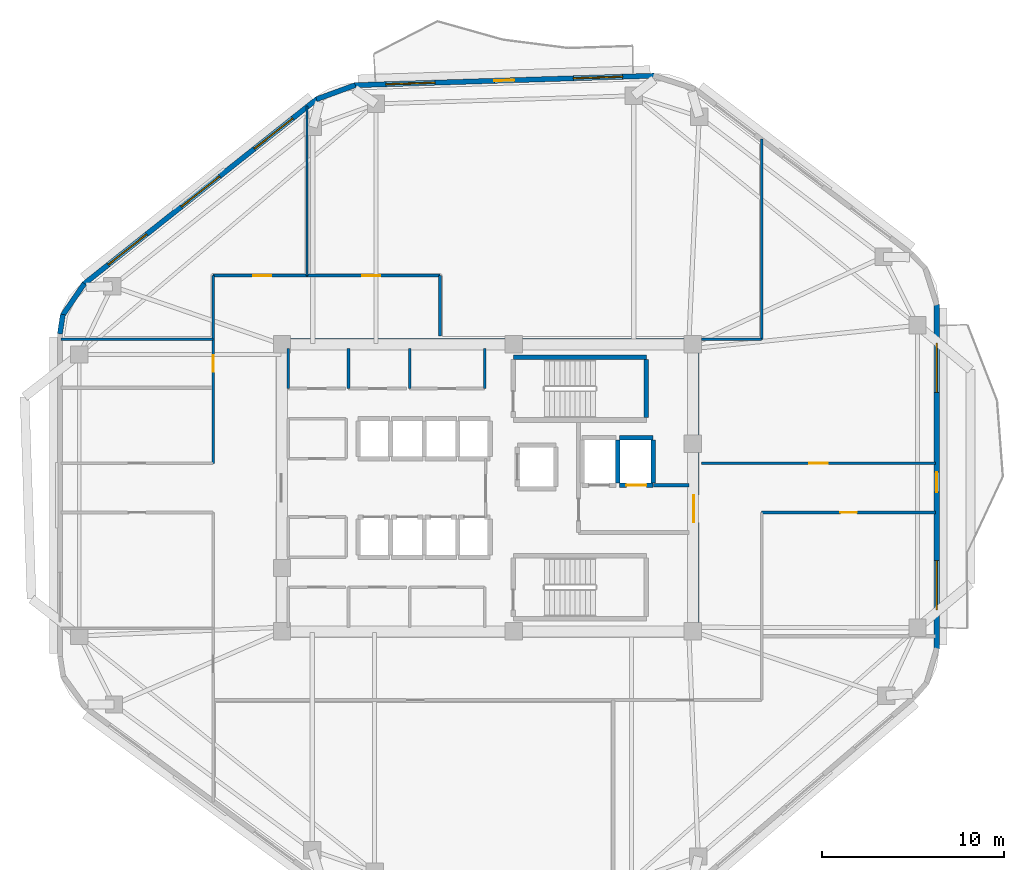
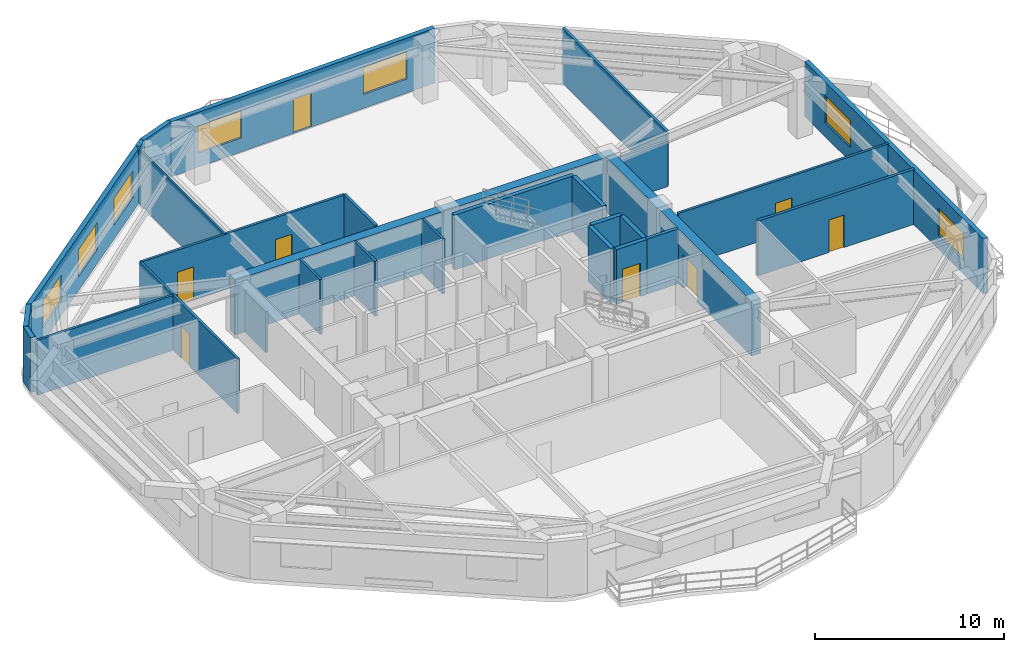
# One storey, part 5 of 8: 28 walls, 9 doors, 7 windows, 16 openings.
"""IFC4 building model written with IfcOpenShell, lengths in metres."""

from ifc_helpers import new_model, si_unit, direction, frame, frame_2d, origin, place, context, subcontext, project, spatial, rectangle, extrude, material, layer, layer_set, type_object, element, fill, save


model = new_model("IFC4")

# Units and contexts
model_context = context("Model", 3, precision=1e-05, world=origin(), true_north=direction((0.0, 1.0)))
body_context = subcontext(model_context, "Body", "Model", "MODEL_VIEW")
ifc_project = project(units=[si_unit("LENGTHUNIT", "METRE"), si_unit("AREAUNIT", "SQUARE_METRE"), si_unit("VOLUMEUNIT", "CUBIC_METRE"), si_unit("PLANEANGLEUNIT", "RADIAN"), si_unit("MASSUNIT", "GRAM", prefix="KILO")], contexts=[model_context])

# Site, building, storey
site_placement = place(None, origin())
site = spatial("IfcSite", under=ifc_project, at=site_placement, CompositionType="ELEMENT")
building_placement = place(site_placement, origin())
building = spatial("IfcBuilding", under=site, at=building_placement, Name="Zulverin Broadcast Headquarters", CompositionType="ELEMENT")
storey_placement = place(building_placement, frame((0.0, 0.0, 166.800048828125)))
storey = spatial("IfcBuildingStorey", under=building, at=storey_placement, Name="L42", CompositionType="ELEMENT", Elevation=166.800048828125)

# Wall
ifc_material_1 = material(Name="Concrete C60/75", Category="concrete")
ifc_layer_1 = layer(ifc_material_1, 0.550048828125, Name="Concrete C60/75", Category="concrete")
ifc_layer_set_1 = layer_set([ifc_layer_1], Name="Concrete C60/75")
wall_type_1 = type_object("IfcWallType", Name="WL-CORE-550", PredefinedType="SHEAR", material=ifc_layer_set_1)
wall_1_placement = place(storey_placement, frame((25.39990234375, 33.125, 0.0), z_axis=(0.0, 0.0, 1.0), x_axis=(1.0, 0.0, 0.0)))
element("IfcWall", 1, at=wall_1_placement, inside=storey, type_object=wall_type_1, Name="L42 Core North Shear Wall", PredefinedType="SHEAR", context=body_context, shape_type="SweptSolid", body=[
    extrude(rectangle(XDim=23.2001953125, YDim=0.550048828125, at=frame_2d((11.60009765625, 0.0))), origin(), (0.0, 0.0, 1.0), 3.5400390625),
])

# Wall, opening, door
wall_2_placement = place(storey_placement, frame((48.324951171875, 17.550048828125, 0.0), z_axis=(0.0, 0.0, 1.0), x_axis=(0.0, 1.0, 0.0)))
wall_2 = element("IfcWall", 2, at=wall_2_placement, inside=storey, type_object=wall_type_1, Name="L42 Core East Shear Wall", PredefinedType="SHEAR", context=body_context, shape_type="SweptSolid", body=[
    extrude(rectangle(XDim=15.300048828125, YDim=0.550048828125, at=frame_2d((7.64990234375, 0.0))), origin(), (0.0, 0.0, 1.0), 3.5400390625),
])
opening_1_placement = place(wall_2_placement, frame((5.75, 0.0, 0.0)))
opening_1 = element("IfcOpeningElement", 3, at=opening_1_placement, cuts=wall_2, Name="Opening D-L42-CE1", PredefinedType="OPENING", context=body_context, shape_type="SweptSolid", body=[
    extrude(rectangle(XDim=1.5, YDim=2.14990234375, at=frame_2d((0.75, 1.074951171875))), frame((0.0, 0.284912109375, 0.0), z_axis=(0.0, -1.0, 0.0), x_axis=(1.0, 0.0, 0.0)), (0.0, 0.0, 1.0), 0.570068359375),
])
ifc_material_2 = material(Name="Fire-rated glazed steel frame", Category="steel")
door_type_1 = type_object("IfcDoorType", Name="DR-COR-1500", OperationType="DOUBLE_DOOR_SINGLE_SWING", PredefinedType="DOOR", material=ifc_material_2)
door_1_placement = place(opening_1_placement, origin())
door_1 = element("IfcDoor", 4, at=door_1_placement, inside=storey, type_object=door_type_1, Name="L42 Firefighting Lobby East Corridor Door", OperationType="DOUBLE_DOOR_SINGLE_SWING", OverallHeight=2.14990234375, OverallWidth=1.5, PredefinedType="DOOR", context=body_context, shape_type="SweptSolid", body=[
    extrude(rectangle(XDim=1.5, YDim=2.14990234375, at=frame_2d((0.75, 1.074951171875))), frame((0.0, 0.02490234375, 0.0), z_axis=(0.0, -1.0, 0.0), x_axis=(1.0, 0.0, 0.0)), (0.0, 0.0, 1.0), 0.050048828125),
])
fill(opening_1, door_1)

# Wall, openings, door, windows
ifc_material_3 = material(Name="Insulated pale-metal clad concrete spandrel C40/50", Category="concrete")
ifc_layer_2 = layer(ifc_material_3, 0.280029296875, Name="Insulated pale-metal clad concrete spandrel C40/50", Category="concrete")
ifc_layer_set_2 = layer_set([ifc_layer_2], Name="Insulated pale-metal clad concrete spandrel C40/50")
wall_type_2 = type_object("IfcWallType", Name="WL-EXT-280", PredefinedType="STANDARD", material=ifc_layer_set_2)
wall_3_placement = place(storey_placement, frame((61.659912109375, 16.369384765625, 0.0), z_axis=(0.0, 0.0, 1.0), x_axis=(0.0, 1.0, 0.0)))
wall_3 = element("IfcWall", 5, at=wall_3_placement, inside=storey, type_object=wall_type_2, Name="L42 Pale-Metal Clad Spandrel Wall 3", PredefinedType="STANDARD", context=body_context, shape_type="SweptSolid", body=[
    extrude(rectangle(XDim=18.902099609375, YDim=0.280029296875, at=frame_2d((9.451171875, 0.0))), origin(), (0.0, 0.0, 1.0), 3.5400390625),
])
opening_2_placement = place(wall_3_placement, frame((8.60107421875, 0.0, 0.0)))
opening_2 = element("IfcOpeningElement", 6, at=opening_2_placement, cuts=wall_3, Name="Opening D-L42-TR3", PredefinedType="OPENING", context=body_context, shape_type="SweptSolid", body=[
    extrude(rectangle(XDim=1.10009765625, YDim=2.199951171875, at=frame_2d((0.550048828125, 1.10009765625))), frame((0.0, 0.14990234375, 0.0), z_axis=(0.0, -1.0, 0.0), x_axis=(1.0, 0.0, 0.0)), (0.0, 0.0, 1.0), 0.300048828125),
])
opening_3_placement = place(wall_3_placement, frame((2.1337890625, 0.0, 0.89990234375)))
opening_3 = element("IfcOpeningElement", 7, at=opening_3_placement, cuts=wall_3, Name="Opening W-L42-E31", PredefinedType="OPENING", context=body_context, shape_type="SweptSolid", body=[
    extrude(rectangle(XDim=2.699951171875, YDim=1.75, at=frame_2d((1.35009765625, 0.875))), frame((0.0, 0.14990234375, 0.0), z_axis=(0.0, -1.0, 0.0), x_axis=(1.0, 0.0, 0.0)), (0.0, 0.0, 1.0), 0.300048828125),
])
opening_4_placement = place(wall_3_placement, frame((14.068603515625, 0.0, 0.89990234375)))
opening_4 = element("IfcOpeningElement", 8, at=opening_4_placement, cuts=wall_3, Name="Opening W-L42-E32", PredefinedType="OPENING", context=body_context, shape_type="SweptSolid", body=[
    extrude(rectangle(XDim=2.699951171875, YDim=1.75, at=frame_2d((1.35009765625, 0.875))), frame((0.0, 0.14990234375, 0.0), z_axis=(0.0, -1.0, 0.0), x_axis=(1.0, 0.0, 0.0)), (0.0, 0.0, 1.0), 0.300048828125),
])
ifc_material_4 = material(Name="Thermally broken aluminium glazed", Category="aluminium")
door_type_2 = type_object("IfcDoorType", Name="DR-TERR-1100", OperationType="SINGLE_SWING_RIGHT", PredefinedType="DOOR", material=ifc_material_4)
door_2_placement = place(opening_2_placement, origin())
door_2 = element("IfcDoor", 9, at=door_2_placement, inside=storey, type_object=door_type_2, Name="L42 Planted Terrace Glazed Access Door 3", OperationType="SINGLE_SWING_RIGHT", OverallHeight=2.199951171875, OverallWidth=1.10009765625, PredefinedType="DOOR", context=body_context, shape_type="SweptSolid", body=[
    extrude(rectangle(XDim=1.10009765625, YDim=2.199951171875, at=frame_2d((0.550048828125, 1.10009765625))), frame((0.0, 0.02490234375, 0.0), z_axis=(0.0, -1.0, 0.0), x_axis=(1.0, 0.0, 0.0)), (0.0, 0.0, 1.0), 0.050048828125),
])
fill(opening_2, door_2)
ifc_material_5 = material(Name="Pale anodized aluminium frame with solar-control low-E double glazing", Category="aluminium")
window_type = type_object("IfcWindowType", Name="WIN-TWR-2700", PartitioningType="SINGLE_PANEL", PredefinedType="WINDOW", material=ifc_material_5)
window_1_placement = place(opening_3_placement, origin())
window_1 = element("IfcWindow", 10, at=window_1_placement, inside=storey, type_object=window_type, Name="L42 Ribbon Glazing Window 3 1", OverallHeight=1.75, OverallWidth=2.699951171875, PartitioningType="SINGLE_PANEL", PredefinedType="WINDOW", context=body_context, shape_type="SweptSolid", body=[
    extrude(rectangle(XDim=2.699951171875, YDim=1.75, at=frame_2d((1.35009765625, 0.875))), frame((0.0, 0.030029296875, 0.0), z_axis=(0.0, -1.0, 0.0), x_axis=(1.0, 0.0, 0.0)), (0.0, 0.0, 1.0), 0.06005859375),
])
fill(opening_3, window_1)
window_2_placement = place(opening_4_placement, origin())
window_2 = element("IfcWindow", 11, at=window_2_placement, inside=storey, type_object=window_type, Name="L42 Ribbon Glazing Window 3 2", OverallHeight=1.75, OverallWidth=2.699951171875, PartitioningType="SINGLE_PANEL", PredefinedType="WINDOW", context=body_context, shape_type="SweptSolid", body=[
    extrude(rectangle(XDim=2.699951171875, YDim=1.75, at=frame_2d((1.35009765625, 0.875))), frame((0.0, 0.030029296875, 0.0), z_axis=(0.0, -1.0, 0.0), x_axis=(1.0, 0.0, 0.0)), (0.0, 0.0, 1.0), 0.06005859375),
])
fill(opening_4, window_2)

wall_4_placement = place(storey_placement, frame((46.143310546875, 47.819580078125, 0.0), z_axis=(0.0, 0.0, 1.0), x_axis=(-0.999497065256, -0.031711457627, 0.0)))
wall_4 = element("IfcWall", 12, at=wall_4_placement, inside=storey, type_object=wall_type_2, Name="L42 Pale-Metal Clad Spandrel Wall 5", PredefinedType="STANDARD", context=body_context, shape_type="SweptSolid", body=[
    extrude(rectangle(XDim=16.452392578125, YDim=0.280029296875, at=frame_2d((8.22607421875, 0.0))), origin(), (0.0, 0.0, 1.0), 3.5400390625),
])
opening_5_placement = place(wall_4_placement, frame((7.67626953125, 0.0, 0.0)))
opening_5 = element("IfcOpeningElement", 13, at=opening_5_placement, cuts=wall_4, Name="Opening D-L42-TR5", PredefinedType="OPENING", context=body_context, shape_type="SweptSolid", body=[
    extrude(rectangle(XDim=1.10009765625, YDim=2.199951171875, at=frame_2d((0.550048828125, 1.10009765625))), frame((0.0, 0.14990234375, 0.0), z_axis=(0.0, -1.0, 0.0), x_axis=(1.0, 0.0, 0.0)), (0.0, 0.0, 1.0), 0.300048828125),
])
opening_6_placement = place(wall_4_placement, frame((1.725341796875, 0.0, 0.89990234375)))
opening_6 = element("IfcOpeningElement", 14, at=opening_6_placement, cuts=wall_4, Name="Opening W-L42-E51", PredefinedType="OPENING", context=body_context, shape_type="SweptSolid", body=[
    extrude(rectangle(XDim=2.699951171875, YDim=1.75, at=frame_2d((1.35009765625, 0.875))), frame((0.0, 0.14990234375, 0.0), z_axis=(0.0, -1.0, 0.0), x_axis=(1.0, 0.0, 0.0)), (0.0, 0.0, 1.0), 0.300048828125),
])
opening_7_placement = place(wall_4_placement, frame((12.027099609375, 0.0, 0.89990234375)))
opening_7 = element("IfcOpeningElement", 15, at=opening_7_placement, cuts=wall_4, Name="Opening W-L42-E52", PredefinedType="OPENING", context=body_context, shape_type="SweptSolid", body=[
    extrude(rectangle(XDim=2.699951171875, YDim=1.75, at=frame_2d((1.35009765625, 0.875))), frame((0.0, 0.14990234375, 0.0), z_axis=(0.0, -1.0, 0.0), x_axis=(1.0, 0.0, 0.0)), (0.0, 0.0, 1.0), 0.300048828125),
])
door_3_placement = place(opening_5_placement, origin())
door_3 = element("IfcDoor", 16, at=door_3_placement, inside=storey, type_object=door_type_2, Name="L42 Planted Terrace Glazed Access Door 5", OperationType="SINGLE_SWING_RIGHT", OverallHeight=2.199951171875, OverallWidth=1.10009765625, PredefinedType="DOOR", context=body_context, shape_type="SweptSolid", body=[
    extrude(rectangle(XDim=1.10009765625, YDim=2.199951171875, at=frame_2d((0.550048828125, 1.10009765625))), frame((0.0, 0.02490234375, 0.0), z_axis=(0.0, -1.0, 0.0), x_axis=(1.0, 0.0, 0.0)), (0.0, 0.0, 1.0), 0.050048828125),
])
fill(opening_5, door_3)
window_3_placement = place(opening_6_placement, origin())
window_3 = element("IfcWindow", 17, at=window_3_placement, inside=storey, type_object=window_type, Name="L42 Ribbon Glazing Window 5 1", OverallHeight=1.75, OverallWidth=2.699951171875, PartitioningType="SINGLE_PANEL", PredefinedType="WINDOW", context=body_context, shape_type="SweptSolid", body=[
    extrude(rectangle(XDim=2.699951171875, YDim=1.75, at=frame_2d((1.35009765625, 0.875))), frame((0.0, 0.030029296875, 0.0), z_axis=(0.0, -1.0, 0.0), x_axis=(1.0, 0.0, 0.0)), (0.0, 0.0, 1.0), 0.06005859375),
])
fill(opening_6, window_3)
window_4_placement = place(opening_7_placement, origin())
window_4 = element("IfcWindow", 18, at=window_4_placement, inside=storey, type_object=window_type, Name="L42 Ribbon Glazing Window 5 2", OverallHeight=1.75, OverallWidth=2.699951171875, PartitioningType="SINGLE_PANEL", PredefinedType="WINDOW", context=body_context, shape_type="SweptSolid", body=[
    extrude(rectangle(XDim=2.699951171875, YDim=1.75, at=frame_2d((1.35009765625, 0.875))), frame((0.0, 0.030029296875, 0.0), z_axis=(0.0, -1.0, 0.0), x_axis=(1.0, 0.0, 0.0)), (0.0, 0.0, 1.0), 0.06005859375),
])
fill(opening_7, window_4)

# Wall, openings, windows
wall_5_placement = place(storey_placement, frame((27.657958984375, 46.5498046875, 0.0), z_axis=(0.0, 0.0, 1.0), x_axis=(-0.783266285861, -0.621686356158, 0.0)))
wall_5 = element("IfcWall", 19, at=wall_5_placement, inside=storey, type_object=wall_type_2, Name="L42 Pale-Metal Clad Spandrel Wall 6", PredefinedType="STANDARD", context=body_context, shape_type="SweptSolid", body=[
    extrude(rectangle(XDim=16.35302734375, YDim=0.280029296875, at=frame_2d((8.176513671875, 0.0))), origin(), (0.0, 0.0, 1.0), 3.5400390625),
])
opening_8_placement = place(wall_5_placement, frame((1.708740234375, 0.0, 0.89990234375)))
opening_8 = element("IfcOpeningElement", 20, at=opening_8_placement, cuts=wall_5, Name="Opening W-L42-E61", PredefinedType="OPENING", context=body_context, shape_type="SweptSolid", body=[
    extrude(rectangle(XDim=2.699951171875, YDim=1.75, at=frame_2d((1.35009765625, 0.875))), frame((0.0, 0.14990234375, 0.0), z_axis=(0.0, -1.0, 0.0), x_axis=(1.0, 0.0, 0.0)), (0.0, 0.0, 1.0), 0.300048828125),
])
opening_9_placement = place(wall_5_placement, frame((6.826416015625, 0.0, 0.89990234375)))
opening_9 = element("IfcOpeningElement", 21, at=opening_9_placement, cuts=wall_5, Name="Opening W-L42-E62", PredefinedType="OPENING", context=body_context, shape_type="SweptSolid", body=[
    extrude(rectangle(XDim=2.699951171875, YDim=1.75, at=frame_2d((1.35009765625, 0.875))), frame((0.0, 0.14990234375, 0.0), z_axis=(0.0, -1.0, 0.0), x_axis=(1.0, 0.0, 0.0)), (0.0, 0.0, 1.0), 0.300048828125),
])
opening_10_placement = place(wall_5_placement, frame((11.944091796875, 0.0, 0.89990234375)))
opening_10 = element("IfcOpeningElement", 22, at=opening_10_placement, cuts=wall_5, Name="Opening W-L42-E63", PredefinedType="OPENING", context=body_context, shape_type="SweptSolid", body=[
    extrude(rectangle(XDim=2.699951171875, YDim=1.75, at=frame_2d((1.35009765625, 0.875))), frame((0.0, 0.14990234375, 0.0), z_axis=(0.0, -1.0, 0.0), x_axis=(1.0, 0.0, 0.0)), (0.0, 0.0, 1.0), 0.300048828125),
])
window_5_placement = place(opening_8_placement, origin())
window_5 = element("IfcWindow", 23, at=window_5_placement, inside=storey, type_object=window_type, Name="L42 Ribbon Glazing Window 6 1", OverallHeight=1.75, OverallWidth=2.699951171875, PartitioningType="SINGLE_PANEL", PredefinedType="WINDOW", context=body_context, shape_type="SweptSolid", body=[
    extrude(rectangle(XDim=2.699951171875, YDim=1.75, at=frame_2d((1.35009765625, 0.875))), frame((0.0, 0.030029296875, 0.0), z_axis=(0.0, -1.0, 0.0), x_axis=(1.0, 0.0, 0.0)), (0.0, 0.0, 1.0), 0.06005859375),
])
fill(opening_8, window_5)
window_6_placement = place(opening_9_placement, origin())
window_6 = element("IfcWindow", 24, at=window_6_placement, inside=storey, type_object=window_type, Name="L42 Ribbon Glazing Window 6 2", OverallHeight=1.75, OverallWidth=2.699951171875, PartitioningType="SINGLE_PANEL", PredefinedType="WINDOW", context=body_context, shape_type="SweptSolid", body=[
    extrude(rectangle(XDim=2.699951171875, YDim=1.75, at=frame_2d((1.35009765625, 0.875))), frame((0.0, 0.030029296875, 0.0), z_axis=(0.0, -1.0, 0.0), x_axis=(1.0, 0.0, 0.0)), (0.0, 0.0, 1.0), 0.06005859375),
])
fill(opening_9, window_6)
window_7_placement = place(opening_10_placement, origin())
window_7 = element("IfcWindow", 25, at=window_7_placement, inside=storey, type_object=window_type, Name="L42 Ribbon Glazing Window 6 3", OverallHeight=1.75, OverallWidth=2.699951171875, PartitioningType="SINGLE_PANEL", PredefinedType="WINDOW", context=body_context, shape_type="SweptSolid", body=[
    extrude(rectangle(XDim=2.699951171875, YDim=1.75, at=frame_2d((1.35009765625, 0.875))), frame((0.0, 0.030029296875, 0.0), z_axis=(0.0, -1.0, 0.0), x_axis=(1.0, 0.0, 0.0)), (0.0, 0.0, 1.0), 0.06005859375),
])
fill(opening_10, window_7)

# Walls
wall_6_placement = place(storey_placement, frame((29.742919921875, 47.306396484375, 0.0), z_axis=(0.0, 0.0, 1.0), x_axis=(-0.93893328381, -0.344099242302, 0.0)))
element("IfcWall", 26, at=wall_6_placement, inside=storey, type_object=wall_type_2, Name="L42 Wind-Shaped Corner Spandrel Wall 5-1", PredefinedType="STANDARD", context=body_context, shape_type="SweptSolid", body=[
    extrude(rectangle(XDim=2.261962890625, YDim=0.280029296875, at=frame_2d((1.130859375, 0.0))), origin(), (0.0, 0.0, 1.0), 3.5400390625),
])
wall_7_placement = place(storey_placement, frame((14.877685546875, 36.4140625, 0.0), z_axis=(0.0, 0.0, 1.0), x_axis=(-0.564564614133, -0.825388875906, 0.0)))
element("IfcWall", 27, at=wall_7_placement, inside=storey, type_object=wall_type_2, Name="L42 Wind-Shaped Corner Spandrel Wall 6-1", PredefinedType="STANDARD", context=body_context, shape_type="SweptSolid", body=[
    extrude(rectangle(XDim=2.127685546875, YDim=0.280029296875, at=frame_2d((1.06396484375, 0.0))), origin(), (0.0, 0.0, 1.0), 3.5400390625),
])
wall_8_placement = place(storey_placement, frame((13.69921875, 34.716064453125, 0.0), z_axis=(0.0, 0.0, 1.0), x_axis=(-0.149549920187, -0.988754176412, 0.0)))
element("IfcWall", 28, at=wall_8_placement, inside=storey, type_object=wall_type_2, Name="L42 Wind-Shaped Corner Spandrel Wall 6-2", PredefinedType="STANDARD", context=body_context, shape_type="SweptSolid", body=[
    extrude(rectangle(XDim=1.075927734375, YDim=0.280029296875, at=frame_2d((0.5380859375, 0.0))), origin(), (0.0, 0.0, 1.0), 3.5400390625),
])
ifc_material_6 = material(Name="Concrete C40/50", Category="concrete")
ifc_layer_3 = layer(ifc_material_6, 0.199951171875, Name="Concrete C40/50", Category="concrete")
ifc_layer_set_3 = layer_set([ifc_layer_3], Name="Concrete C40/50")
wall_type_3 = type_object("IfcWallType", Name="WL-FFL-200", PredefinedType="SOLIDWALL", material=ifc_layer_set_3)
wall_9_placement = place(storey_placement, frame((46.10009765625, 25.35009765625, 0.0), z_axis=(0.0, 0.0, 1.0), x_axis=(1.0, 0.0, 0.0)))
element("IfcWall", 29, at=wall_9_placement, inside=storey, type_object=wall_type_3, Name="L42 Firefighting Lift Lobby North Wall", PredefinedType="SOLIDWALL", context=body_context, shape_type="SweptSolid", body=[
    extrude(rectangle(XDim=1.949951171875, YDim=0.199951171875, at=frame_2d((0.97509765625, 0.0))), origin(), (0.0, 0.0, 1.0), 3.5400390625),
])
ifc_material_7 = material(Name="Fire-rated acoustic laminated glass screen", Category="glass")
ifc_layer_4 = layer(ifc_material_7, 0.10009765625, Name="Fire-rated acoustic laminated glass screen", Category="glass")
ifc_layer_set_4 = layer_set([ifc_layer_4], Name="Fire-rated acoustic laminated glass screen")
wall_type_4 = type_object("IfcWallType", Name="WL-GLAZ-100", PredefinedType="PARTITIONING", material=ifc_layer_set_4)
wall_10_placement = place(storey_placement, frame((27.10009765625, 36.85009765625, 0.0), z_axis=(0.0, 0.0, 1.0), x_axis=(0.0, 1.0, 0.0)))
element("IfcWall", 30, at=wall_10_placement, inside=storey, type_object=wall_type_4, Name="L42 Room Partition Wall RP-05", PredefinedType="PARTITIONING", context=body_context, shape_type="SweptSolid", body=[
    extrude(rectangle(XDim=9.29541015625, YDim=0.10009765625, at=frame_2d((4.647705078125, 0.0))), origin(), (0.0, 0.0, 1.0), 3.5400390625),
])
ifc_material_8 = material(Name="Fire-rated gypsum stud partition", Category="gypsum")
ifc_layer_5 = layer(ifc_material_8, 0.14990234375, Name="Fire-rated gypsum stud partition", Category="gypsum")
ifc_layer_set_5 = layer_set([ifc_layer_5], Name="Fire-rated gypsum stud partition")
wall_type_5 = type_object("IfcWallType", Name="WL-PART-150", PredefinedType="PARTITIONING", material=ifc_layer_set_5)
wall_11_placement = place(storey_placement, frame((26.070068359375, 30.64990234375, 0.0), z_axis=(0.0, 0.0, 1.0), x_axis=(0.0, 1.0, 0.0)))
element("IfcWall", 31, at=wall_11_placement, inside=storey, type_object=wall_type_5, Name="L42 Core Male WC West Wall", PredefinedType="PARTITIONING", context=body_context, shape_type="SweptSolid", body=[
    extrude(rectangle(XDim=2.2001953125, YDim=0.14990234375, at=frame_2d((1.10009765625, 0.0))), origin(), (0.0, 0.0, 1.0), 2.639892578125),
])
for number, where, z_axis, x_axis, name in (
    (32, (29.3798828125, 30.64990234375, 0.0), (0.0, 0.0, 1.0), (0.0, 1.0, 0.0), "L42 Core Accessible WC West Wall"),
    (33, (32.72998046875, 30.64990234375, 0.0), (0.0, 0.0, 1.0), (0.0, 1.0, 0.0), "L42 Core Electrical Distribution Riser West Wall"),
    (34, (36.85009765625, 30.64990234375, 0.0), (0.0, 0.0, 1.0), (0.0, 1.0, 0.0), "L42 Core Electrical Distribution Riser East Wall"),
):
    element("IfcWall", number, at=place(storey_placement, frame(where, z_axis=z_axis, x_axis=x_axis)), inside=storey, type_object=wall_type_5, Name=name, PredefinedType="PARTITIONING", context=body_context, shape_type="SweptSolid", body=[
        extrude(rectangle(XDim=2.2001953125, YDim=0.14990234375, at=frame_2d((1.10009765625, 0.0))), origin(), (0.0, 0.0, 1.0), 3.5400390625),
    ])
wall_12_placement = place(storey_placement, frame((52.050048828125, 33.3515625, 0.0), z_axis=(0.0, 0.0, 1.0), x_axis=(0.0, 1.0, 0.0)))
element("IfcWall", 35, at=wall_12_placement, inside=storey, type_object=wall_type_5, Name="L42 Room Partition Wall RP-02", PredefinedType="PARTITIONING", context=body_context, shape_type="SweptSolid", body=[
    extrude(rectangle(XDim=10.982666015625, YDim=0.14990234375, at=frame_2d((5.4912109375, 0.0))), origin(), (0.0, 0.0, 1.0), 3.5400390625),
])

# Wall, opening, door
wall_13_placement = place(storey_placement, frame((21.949951171875, 26.550048828125, 0.0), z_axis=(0.0, 0.0, 1.0), x_axis=(0.0, 1.0, 0.0)))
wall_13 = element("IfcWall", 36, at=wall_13_placement, inside=storey, type_object=wall_type_5, Name="L42 Gallery Partition Wall CG-07", PredefinedType="PARTITIONING", context=body_context, shape_type="SweptSolid", body=[
    extrude(rectangle(XDim=10.300048828125, YDim=0.14990234375, at=frame_2d((5.14990234375, 0.0))), origin(), (0.0, 0.0, 1.0), 3.5400390625),
])
opening_11_placement = place(wall_13_placement, frame((5.02490234375, 0.0, 0.0)))
opening_11 = element("IfcOpeningElement", 37, at=opening_11_placement, cuts=wall_13, Name="Opening D-L42-08", PredefinedType="OPENING", context=body_context, shape_type="SweptSolid", body=[
    extrude(rectangle(XDim=0.89990234375, YDim=2.10009765625, at=frame_2d((0.449951171875, 1.050048828125))), frame((0.0, 0.0849609375, 0.0), z_axis=(0.0, -1.0, 0.0), x_axis=(1.0, 0.0, 0.0)), (0.0, 0.0, 1.0), 0.169921875),
])
ifc_material_9 = material(Name="Fire-rated hardwood veneer timber leaf", Category="wood")
door_type_3 = type_object("IfcDoorType", Name="DR-ROOM-900", OperationType="SINGLE_SWING_RIGHT", PredefinedType="DOOR", material=ifc_material_9)
door_4_placement = place(opening_11_placement, origin())
door_4 = element("IfcDoor", 38, at=door_4_placement, inside=storey, type_object=door_type_3, Name="L42 Tea Pantry Door", OperationType="SINGLE_SWING_LEFT", OverallHeight=2.10009765625, OverallWidth=0.89990234375, PredefinedType="DOOR", context=body_context, shape_type="SweptSolid", body=[
    extrude(rectangle(XDim=0.89990234375, YDim=2.10009765625, at=frame_2d((0.449951171875, 1.050048828125))), frame((0.0, 0.02490234375, 0.0), z_axis=(0.0, -1.0, 0.0), x_axis=(1.0, 0.0, 0.0)), (0.0, 0.0, 1.0), 0.050048828125),
])
fill(opening_11, door_4)

wall_14_placement = place(storey_placement, frame((48.739990234375, 26.550048828125, 0.0), z_axis=(0.0, 0.0, 1.0), x_axis=(1.0, 0.0, 0.0)))
wall_14 = element("IfcWall", 39, at=wall_14_placement, inside=storey, type_object=wall_type_5, Name="L42 Gallery Partition Wall CG-14", PredefinedType="PARTITIONING", context=body_context, shape_type="SweptSolid", body=[
    extrude(rectangle(XDim=12.85498046875, YDim=0.14990234375, at=frame_2d((6.427490234375, 0.0))), origin(), (0.0, 0.0, 1.0), 3.5400390625),
])
opening_12_placement = place(wall_14_placement, frame((5.927490234375, 0.0, 0.0)))
opening_12 = element("IfcOpeningElement", 40, at=opening_12_placement, cuts=wall_14, Name="Opening D-L42-10", PredefinedType="OPENING", context=body_context, shape_type="SweptSolid", body=[
    extrude(rectangle(XDim=1.0, YDim=2.1201171875, at=frame_2d((0.5, 1.06005859375))), frame((0.0, 0.0849609375, 0.0), z_axis=(0.0, -1.0, 0.0), x_axis=(1.0, 0.0, 0.0)), (0.0, 0.0, 1.0), 0.169921875),
])
ifc_material_10 = material(Name="Hardwood veneer acoustic leaf", Category="wood")
door_type_4 = type_object("IfcDoorType", Name="DR-OFF-1000", OperationType="SINGLE_SWING_LEFT", PredefinedType="DOOR", material=ifc_material_10)
door_5_placement = place(opening_12_placement, origin())
door_5 = element("IfcDoor", 41, at=door_5_placement, inside=storey, type_object=door_type_4, Name="L42 International Bureau Office Door", OperationType="SINGLE_SWING_LEFT", OverallHeight=2.1201171875, OverallWidth=1.0, PredefinedType="DOOR", context=body_context, shape_type="SweptSolid", body=[
    extrude(rectangle(XDim=1.0, YDim=2.1201171875, at=frame_2d((0.5, 1.06005859375))), frame((0.0, 0.02490234375, 0.0), z_axis=(0.0, -1.0, 0.0), x_axis=(1.0, 0.0, 0.0)), (0.0, 0.0, 1.0), 0.050048828125),
])
fill(opening_12, door_5)

# Walls
wall_15_placement = place(storey_placement, frame((13.60498046875, 33.35009765625, 0.0), z_axis=(0.0, 0.0, 1.0), x_axis=(1.0, 0.0, 0.0)))
element("IfcWall", 42, at=wall_15_placement, inside=storey, type_object=wall_type_5, Name="L42 Room Partition Wall RP-16", PredefinedType="PARTITIONING", context=body_context, shape_type="SweptSolid", body=[
    extrude(rectangle(XDim=8.344970703125, YDim=0.14990234375, at=frame_2d((4.17236328125, 0.0))), origin(), (0.0, 0.0, 1.0), 3.5400390625),
])
wall_16_placement = place(storey_placement, frame((48.739990234375, 33.35009765625, 0.0), z_axis=(0.0, 0.0, 1.0), x_axis=(1.0, 0.0, 0.0)))
element("IfcWall", 43, at=wall_16_placement, inside=storey, type_object=wall_type_5, Name="L42 Room Partition Wall RP-17", PredefinedType="PARTITIONING", context=body_context, shape_type="SweptSolid", body=[
    extrude(rectangle(XDim=3.30859375, YDim=0.14990234375, at=frame_2d((1.654296875, 0.0))), origin(), (0.0, 0.0, 1.0), 2.9228515625),
])

# Wall, openings, doors
wall_17_placement = place(storey_placement, frame((21.949951171875, 36.85009765625, 0.0), z_axis=(0.0, 0.0, 1.0), x_axis=(1.0, 0.0, 0.0)))
wall_17 = element("IfcWall", 44, at=wall_17_placement, inside=storey, type_object=wall_type_5, Name="L42 Gallery Partition Wall CG-18", PredefinedType="PARTITIONING", context=body_context, shape_type="SweptSolid", body=[
    extrude(rectangle(XDim=12.449951171875, YDim=0.14990234375, at=frame_2d((6.22509765625, 0.0))), origin(), (0.0, 0.0, 1.0), 3.5400390625),
])
opening_13_placement = place(wall_17_placement, frame((2.195068359375, 0.0, 0.0)))
opening_13 = element("IfcOpeningElement", 45, at=opening_13_placement, cuts=wall_17, Name="Opening D-L42-01", PredefinedType="OPENING", context=body_context, shape_type="SweptSolid", body=[
    extrude(rectangle(XDim=1.0, YDim=2.1201171875, at=frame_2d((0.5, 1.06005859375))), frame((0.0, 0.0849609375, 0.0), z_axis=(0.0, -1.0, 0.0), x_axis=(1.0, 0.0, 0.0)), (0.0, 0.0, 1.0), 0.169921875),
])
opening_14_placement = place(wall_17_placement, frame((8.179931640625, 0.0, 0.0)))
opening_14 = element("IfcOpeningElement", 46, at=opening_14_placement, cuts=wall_17, Name="Opening D-L42-02", PredefinedType="OPENING", context=body_context, shape_type="SweptSolid", body=[
    extrude(rectangle(XDim=1.0, YDim=2.1201171875, at=frame_2d((0.5, 1.06005859375))), frame((0.0, 0.0849609375, 0.0), z_axis=(0.0, -1.0, 0.0), x_axis=(1.0, 0.0, 0.0)), (0.0, 0.0, 1.0), 0.169921875),
])
door_6_placement = place(opening_13_placement, origin())
door_6 = element("IfcDoor", 47, at=door_6_placement, inside=storey, type_object=door_type_4, Name="L42 International Bureau Office Door", OperationType="SINGLE_SWING_RIGHT", OverallHeight=2.1201171875, OverallWidth=1.0, PredefinedType="DOOR", context=body_context, shape_type="SweptSolid", body=[
    extrude(rectangle(XDim=1.0, YDim=2.1201171875, at=frame_2d((0.5, 1.06005859375))), frame((0.0, 0.02490234375, 0.0), z_axis=(0.0, -1.0, 0.0), x_axis=(1.0, 0.0, 0.0)), (0.0, 0.0, 1.0), 0.050048828125),
])
fill(opening_13, door_6)
door_7_placement = place(opening_14_placement, origin())
door_7 = element("IfcDoor", 48, at=door_7_placement, inside=storey, type_object=door_type_4, Name="L42 Verification Office Door", OperationType="SINGLE_SWING_LEFT", OverallHeight=2.1201171875, OverallWidth=1.0, PredefinedType="DOOR", context=body_context, shape_type="SweptSolid", body=[
    extrude(rectangle(XDim=1.0, YDim=2.1201171875, at=frame_2d((0.5, 1.06005859375))), frame((0.0, 0.02490234375, 0.0), z_axis=(0.0, -1.0, 0.0), x_axis=(1.0, 0.0, 0.0)), (0.0, 0.0, 1.0), 0.050048828125),
])
fill(opening_14, door_7)

# Wall
ifc_material_11 = material(Name="Fire-rated acoustic stud wall", Category="gypsum")
ifc_layer_6 = layer(ifc_material_11, 0.175048828125, Name="Fire-rated acoustic stud wall", Category="gypsum")
ifc_layer_set_6 = layer_set([ifc_layer_6], Name="Fire-rated acoustic stud wall")
wall_type_6 = type_object("IfcWallType", Name="WL-PART-175", PredefinedType="PARTITIONING", material=ifc_layer_set_6)
wall_18_placement = place(storey_placement, frame((34.39990234375, 33.5400390625, 0.0), z_axis=(0.0, 0.0, 1.0), x_axis=(0.0, 1.0, 0.0)))
element("IfcWall", 49, at=wall_18_placement, inside=storey, type_object=wall_type_6, Name="L42 Gallery Partition Wall CG-04", PredefinedType="PARTITIONING", context=body_context, shape_type="SweptSolid", body=[
    extrude(rectangle(XDim=3.31005859375, YDim=0.175048828125, at=frame_2d((1.655029296875, 0.0))), origin(), (0.0, 0.0, 1.0), 3.5400390625),
])

# Wall, opening, door
wall_19_placement = place(storey_placement, frame((52.050048828125, 23.85009765625, 0.0), z_axis=(0.0, 0.0, 1.0), x_axis=(1.0, 0.0, 0.0)))
wall_19 = element("IfcWall", 50, at=wall_19_placement, inside=storey, type_object=wall_type_6, Name="L42 Gallery Partition Wall CG-12", PredefinedType="PARTITIONING", context=body_context, shape_type="SweptSolid", body=[
    extrude(rectangle(XDim=9.544921875, YDim=0.175048828125, at=frame_2d((4.7724609375, 0.0))), origin(), (0.0, 0.0, 1.0), 3.5400390625),
])
opening_15_placement = place(wall_19_placement, frame((4.322509765625, 0.0, 0.0)))
opening_15 = element("IfcOpeningElement", 51, at=opening_15_placement, cuts=wall_19, Name="Opening D-L42-09", PredefinedType="OPENING", context=body_context, shape_type="SweptSolid", body=[
    extrude(rectangle(XDim=0.89990234375, YDim=2.10009765625, at=frame_2d((0.449951171875, 1.050048828125))), frame((0.0, 0.097412109375, 0.0), z_axis=(0.0, -1.0, 0.0), x_axis=(1.0, 0.0, 0.0)), (0.0, 0.0, 1.0), 0.195068359375),
])
door_8_placement = place(opening_15_placement, origin())
door_8 = element("IfcDoor", 52, at=door_8_placement, inside=storey, type_object=door_type_3, Name="L42 Bureau Reception Door", OperationType="SINGLE_SWING_RIGHT", OverallHeight=2.10009765625, OverallWidth=0.89990234375, PredefinedType="DOOR", context=body_context, shape_type="SweptSolid", body=[
    extrude(rectangle(XDim=0.89990234375, YDim=2.10009765625, at=frame_2d((0.449951171875, 1.050048828125))), frame((0.0, 0.02490234375, 0.0), z_axis=(0.0, -1.0, 0.0), x_axis=(1.0, 0.0, 0.0)), (0.0, 0.0, 1.0), 0.050048828125),
])
fill(opening_15, door_8)

# Walls
ifc_material_12 = material(Name="Concrete C50/60", Category="concrete")
ifc_layer_7 = layer(ifc_material_12, 0.25, Name="Concrete C50/60", Category="concrete")
ifc_layer_set_7 = layer_set([ifc_layer_7], Name="Concrete C50/60")
wall_type_7 = type_object("IfcWallType", Name="WL-SHAFT-250", PredefinedType="SHEAR", material=ifc_layer_set_7)
wall_20_placement = place(storey_placement, frame((38.425048828125, 32.375, 0.0), z_axis=(0.0, 0.0, 1.0), x_axis=(1.0, 0.0, 0.0)))
element("IfcWall", 53, at=wall_20_placement, inside=storey, type_object=wall_type_7, Name="L42 ST-1 Enclosure Wall N", PredefinedType="SHEAR", context=body_context, shape_type="SweptSolid", body=[
    extrude(rectangle(XDim=7.300048828125, YDim=0.25, at=frame_2d((3.64990234375, 0.0))), origin(), (0.0, 0.0, 1.0), 3.5400390625),
])
wall_21_placement = place(storey_placement, frame((45.72509765625, 29.050048828125, 0.0), z_axis=(0.0, 0.0, 1.0), x_axis=(0.0, 1.0, 0.0)))
element("IfcWall", 54, at=wall_21_placement, inside=storey, type_object=wall_type_7, Name="L42 ST-1 Enclosure Wall E", PredefinedType="SHEAR", context=body_context, shape_type="SweptSolid", body=[
    extrude(rectangle(XDim=3.199951171875, YDim=0.25, at=frame_2d((1.60009765625, 0.0))), origin(), (0.0, 0.0, 1.0), 3.5400390625),
])
wall_22_placement = place(storey_placement, frame((44.14990234375, 25.469970703125, 0.0), z_axis=(0.0, 0.0, 1.0), x_axis=(0.0, 1.0, 0.0)))
element("IfcWall", 55, at=wall_22_placement, inside=storey, type_object=wall_type_7, Name="L42 Lift FFL-1 Shaft Wall E", PredefinedType="SHEAR", context=body_context, shape_type="SweptSolid", body=[
    extrude(rectangle(XDim=2.360107421875, YDim=0.25, at=frame_2d((1.18017578125, 0.0))), origin(), (0.0, 0.0, 1.0), 3.5400390625),
])

# Wall, opening, door
wall_23_placement = place(storey_placement, frame((44.25, 25.35009765625, 0.0), z_axis=(0.0, 0.0, 1.0), x_axis=(1.0, 0.0, 0.0)))
wall_23 = element("IfcWall", 56, at=wall_23_placement, inside=storey, type_object=wall_type_7, Name="L42 Lift FFL-2 Shaft Wall S", PredefinedType="SHEAR", context=body_context, shape_type="SweptSolid", body=[
    extrude(rectangle(XDim=1.85009765625, YDim=0.25, at=frame_2d((0.925048828125, 0.0))), origin(), (0.0, 0.0, 1.0), 3.5400390625),
])
opening_16_placement = place(wall_23_placement, frame((0.375, 0.0, 0.0)))
opening_16 = element("IfcOpeningElement", 57, at=opening_16_placement, cuts=wall_23, Name="Opening LD-FFL-2-L42", PredefinedType="OPENING", context=body_context, shape_type="SweptSolid", body=[
    extrude(rectangle(XDim=1.10009765625, YDim=2.14990234375, at=frame_2d((0.550048828125, 1.074951171875))), frame((0.0, 0.135009765625, 0.0), z_axis=(0.0, -1.0, 0.0), x_axis=(1.0, 0.0, 0.0)), (0.0, 0.0, 1.0), 0.27001953125),
])
ifc_material_13 = material(Name="Fire-rated stainless landing door", Category="steel")
door_type_5 = type_object("IfcDoorType", Name="LD-FFL-1100", OperationType="DOUBLE_DOOR_SLIDING", PredefinedType="DOOR", material=ifc_material_13)
door_9_placement = place(opening_16_placement, origin())
door_9 = element("IfcDoor", 58, at=door_9_placement, inside=storey, type_object=door_type_5, Name="L42 Lift FFL-2 Sliding Landing Door", OperationType="DOUBLE_DOOR_SLIDING", OverallHeight=2.14990234375, OverallWidth=1.10009765625, PredefinedType="DOOR", context=body_context, shape_type="SweptSolid", body=[
    extrude(rectangle(XDim=1.10009765625, YDim=2.14990234375, at=frame_2d((0.550048828125, 1.074951171875))), frame((0.0, 0.02490234375, 0.0), z_axis=(0.0, -1.0, 0.0), x_axis=(1.0, 0.0, 0.0)), (0.0, 0.0, 1.0), 0.050048828125),
])
fill(opening_16, door_9)

# Walls
wall_24_placement = place(storey_placement, frame((44.25, 27.949951171875, 0.0), z_axis=(0.0, 0.0, 1.0), x_axis=(1.0, 0.0, 0.0)))
element("IfcWall", 59, at=wall_24_placement, inside=storey, type_object=wall_type_7, Name="L42 Lift FFL-2 Shaft Wall N", PredefinedType="SHEAR", context=body_context, shape_type="SweptSolid", body=[
    extrude(rectangle(XDim=1.85009765625, YDim=0.25, at=frame_2d((0.925048828125, 0.0))), origin(), (0.0, 0.0, 1.0), 3.5400390625),
])
wall_25_placement = place(storey_placement, frame((46.10009765625, 25.469970703125, 0.0), z_axis=(0.0, 0.0, 1.0), x_axis=(0.0, 1.0, 0.0)))
element("IfcWall", 60, at=wall_25_placement, inside=storey, type_object=wall_type_7, Name="L42 Lift FFL-2 Shaft Wall E", PredefinedType="SHEAR", context=body_context, shape_type="SweptSolid", body=[
    extrude(rectangle(XDim=2.360107421875, YDim=0.25, at=frame_2d((1.18017578125, 0.0))), origin(), (0.0, 0.0, 1.0), 3.5400390625),
])

save(model, "model.ifc")
